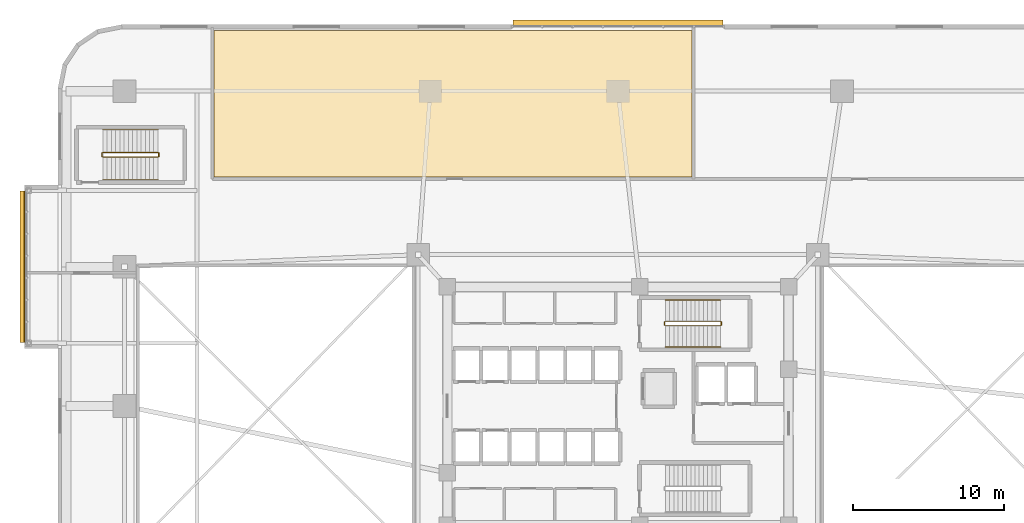
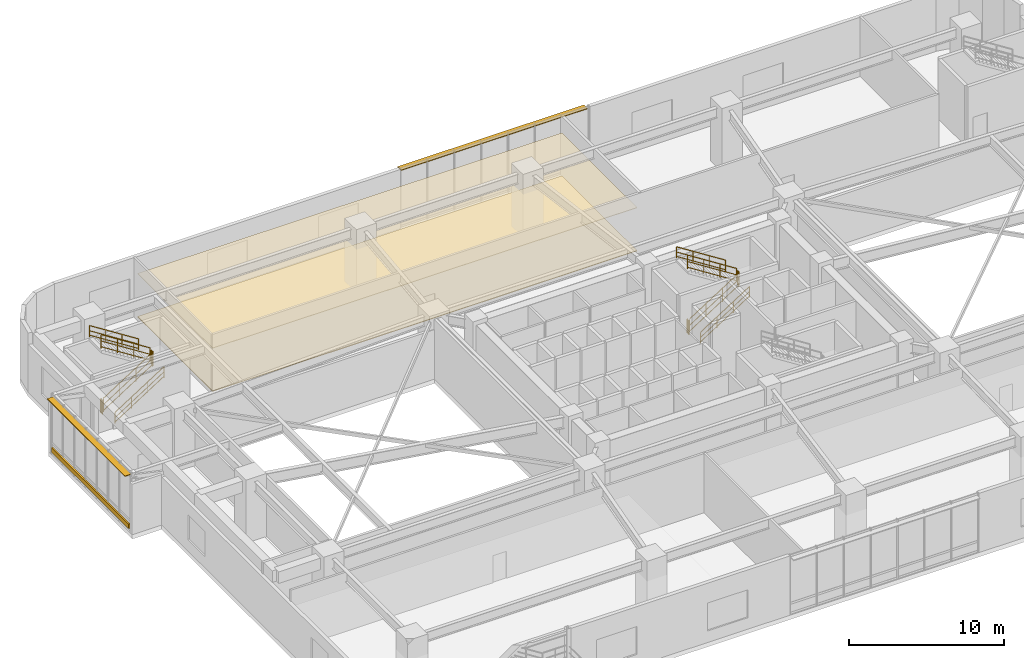
# One storey, part 22 of 24: 12 railings, 3 shading devices, 2 coverings.
"""IFC4 building model written with IfcOpenShell, lengths in metres."""

from ifc_helpers import new_model, si_unit, direction, frame, origin, origin_2d, place, context, subcontext, project, spatial, polyline, rectangle, outline, extrude, material, layer, layer_set, type_object, element, save


model = new_model("IFC4")

# Units and contexts
model_context = context("Model", 3, precision=1e-05, world=origin(), true_north=direction((0.0, 1.0)))
body_context = subcontext(model_context, "Body", "Model", "MODEL_VIEW")
ifc_project = project(units=[si_unit("LENGTHUNIT", "METRE"), si_unit("AREAUNIT", "SQUARE_METRE"), si_unit("VOLUMEUNIT", "CUBIC_METRE"), si_unit("PLANEANGLEUNIT", "RADIAN"), si_unit("MASSUNIT", "GRAM", prefix="KILO")], contexts=[model_context])

# Site, building, storey
site_placement = place(None, origin())
site = spatial("IfcSite", under=ifc_project, at=site_placement, CompositionType="ELEMENT")
building_placement = place(site_placement, origin())
building = spatial("IfcBuilding", under=site, at=building_placement, Name="Zulverin Broadcast Headquarters", CompositionType="ELEMENT")
storey_placement = place(building_placement, frame((0.0, 0.0, 5.0)))
storey = spatial("IfcBuildingStorey", under=building, at=storey_placement, Name="L01", CompositionType="ELEMENT", Elevation=5.0)

# Coverings
ifc_material_1 = material(Name="Perforated pale-metal acoustic baffle ceiling", Category="aluminium")
ifc_layer_1 = layer(ifc_material_1, 0.0400390625, Name="Perforated pale-metal acoustic baffle ceiling", Category="aluminium")
ifc_layer_set_1 = layer_set([ifc_layer_1], Name="Perforated pale-metal acoustic baffle ceiling")
covering_type_1 = type_object("IfcCoveringType", Name="COV-CEIL-ACOU", PredefinedType="CEILING", material=ifc_layer_set_1)
covering_1_placement = place(storey_placement, frame((0.0, 0.0, 3.389892578125)))
element("IfcCovering", 1, at=covering_1_placement, inside=storey, type_object=covering_type_1, Name="L01 Acoustic Baffle Ceiling 03", PredefinedType="CEILING", context=body_context, shape_type="SweptSolid", body=[
    extrude(outline(polyline([(41.8798828125, 50.0), (10.320068359375, 50.0), (10.320068359375, 40.320068359375), (41.8798828125, 40.320068359375), (41.8798828125, 50.0)])), origin(), (0.0, 0.0, 1.0), 0.0400390625),
])
ifc_material_2 = material(Name="Anti-static broadcast raised access flooring", Category="stone")
ifc_layer_2 = layer(ifc_material_2, 0.050048828125, Name="Anti-static broadcast raised access flooring", Category="stone")
ifc_layer_set_2 = layer_set([ifc_layer_2], Name="Anti-static broadcast raised access flooring")
covering_type_2 = type_object("IfcCoveringType", Name="COV-FLR-RAISED", PredefinedType="FLOORING", material=ifc_layer_set_2)
covering_2_placement = place(storey_placement, origin())
element("IfcCovering", 2, at=covering_2_placement, inside=storey, type_object=covering_type_2, Name="L01 Broadcast Raised Access Flooring 01", PredefinedType="FLOORING", context=body_context, shape_type="SweptSolid", body=[
    extrude(outline(polyline([(41.8798828125, 50.0), (10.320068359375, 50.0), (10.320068359375, 40.320068359375), (41.8798828125, 40.320068359375), (41.8798828125, 50.0)])), origin(), (0.0, 0.0, 1.0), 0.050048828125),
])

# Railings
ifc_material_3 = material(Name="Painted galvanized steel tubular guardrail S355JR", Category="steel")
railing_type_1 = type_object("IfcRailingType", Name="RL-ST-GUARD", PredefinedType="GUARDRAIL", material=ifc_material_3)
railing_1_placement = place(storey_placement, frame((40.1298828125, 30.5, 0.178466796875)))
element("IfcRailing", 3, at=railing_1_placement, inside=storey, type_object=railing_type_1, Name="L01 ST-1 stair guard 1", PredefinedType="GUARDRAIL", context=body_context, shape_type="SweptSolid", body=[
    extrude(rectangle(XDim=0.048095703125, YDim=0.048095703125, at=origin_2d()), frame((0.0, 0.0, 1.076171875), z_axis=(0.843127859045, 0.0, 0.537713132908), x_axis=(0.0, 1.0, 0.0)), (0.0, 0.0, 1.0), 4.3173828125),
    extrude(rectangle(XDim=0.0419921875, YDim=0.0419921875, at=origin_2d()), frame((0.0, 0.0, 0.572021484375), z_axis=(0.843127859045, 0.0, 0.537713132908), x_axis=(0.0, 1.0, 0.0)), (0.0, 0.0, 1.0), 4.3173828125),
    extrude(rectangle(XDim=0.0419921875, YDim=0.0419921875, at=origin_2d()), frame((0.0, 0.0, 0.1201171875), z_axis=(0.843127859045, 0.0, 0.537713132908), x_axis=(0.0, 1.0, 0.0)), (0.0, 0.0, 1.0), 4.3173828125),
    extrude(rectangle(XDim=0.0419921875, YDim=0.0419921875, at=origin_2d()), origin(), (0.0, 0.0, 1.0), 1.052001953125),
    extrude(rectangle(XDim=0.0419921875, YDim=0.0419921875, at=origin_2d()), frame((1.21337890625, 0.0, 0.77392578125)), (0.0, 0.0, 1.0), 1.052001953125),
    extrude(rectangle(XDim=0.0419921875, YDim=0.0419921875, at=origin_2d()), frame((2.4267578125, 0.0, 1.547607421875)), (0.0, 0.0, 1.0), 1.052001953125),
    extrude(rectangle(XDim=0.0419921875, YDim=0.0419921875, at=origin_2d()), frame((3.64013671875, 0.0, 2.321533203125)), (0.0, 0.0, 1.0), 1.052001953125),
])
railing_2_placement = place(storey_placement, frame((43.820068359375, 30.550048828125, 2.5)))
element("IfcRailing", 4, at=railing_2_placement, inside=storey, type_object=railing_type_1, Name="L01 ST-1 stair guard 2", PredefinedType="GUARDRAIL", context=body_context, shape_type="SweptSolid", body=[
    extrude(rectangle(XDim=0.048095703125, YDim=0.048095703125, at=origin_2d()), frame((0.0, 0.0, 1.076171875), z_axis=(0.0, 1.0, 0.0), x_axis=(-1.0, 0.0, 0.0)), (0.0, 0.0, 1.0), 0.199951171875),
    extrude(rectangle(XDim=0.0419921875, YDim=0.0419921875, at=origin_2d()), frame((0.0, 0.0, 0.572021484375), z_axis=(0.0, 1.0, 0.0), x_axis=(-1.0, 0.0, 0.0)), (0.0, 0.0, 1.0), 0.199951171875),
    extrude(rectangle(XDim=0.0419921875, YDim=0.0419921875, at=origin_2d()), frame((0.0, 0.0, 0.1201171875), z_axis=(0.0, 1.0, 0.0), x_axis=(-1.0, 0.0, 0.0)), (0.0, 0.0, 1.0), 0.199951171875),
    extrude(rectangle(XDim=0.0419921875, YDim=0.0419921875, at=origin_2d()), origin(), (0.0, 0.0, 1.0), 1.052001953125),
    extrude(rectangle(XDim=0.0419921875, YDim=0.0419921875, at=origin_2d()), frame((0.0, 0.199951171875, 0.0)), (0.0, 0.0, 1.0), 1.052001953125),
])
railing_3_placement = place(storey_placement, frame((43.77001953125, 30.800048828125, 2.678466796875)))
element("IfcRailing", 5, at=railing_3_placement, inside=storey, type_object=railing_type_1, Name="L01 ST-1 stair guard 3", PredefinedType="GUARDRAIL", context=body_context, shape_type="SweptSolid", body=[
    extrude(rectangle(XDim=0.048095703125, YDim=0.048095703125, at=origin_2d()), frame((0.0, 0.0, 1.076171875), z_axis=(-0.843127859045, 0.0, 0.537713132908), x_axis=(0.0, -1.0, 0.0)), (0.0, 0.0, 1.0), 4.3173828125),
    extrude(rectangle(XDim=0.0419921875, YDim=0.0419921875, at=origin_2d()), frame((0.0, 0.0, 0.572021484375), z_axis=(-0.843127859045, 0.0, 0.537713132908), x_axis=(0.0, -1.0, 0.0)), (0.0, 0.0, 1.0), 4.3173828125),
    extrude(rectangle(XDim=0.0419921875, YDim=0.0419921875, at=origin_2d()), frame((0.0, 0.0, 0.1201171875), z_axis=(-0.843127859045, 0.0, 0.537713132908), x_axis=(0.0, -1.0, 0.0)), (0.0, 0.0, 1.0), 4.3173828125),
    extrude(rectangle(XDim=0.0419921875, YDim=0.0419921875, at=origin_2d()), origin(), (0.0, 0.0, 1.0), 1.052001953125),
    extrude(rectangle(XDim=0.0419921875, YDim=0.0419921875, at=origin_2d()), frame((-1.21337890625, 0.0, 0.77392578125)), (0.0, 0.0, 1.0), 1.052001953125),
    extrude(rectangle(XDim=0.0419921875, YDim=0.0419921875, at=origin_2d()), frame((-2.4267578125, 0.0, 1.547607421875)), (0.0, 0.0, 1.0), 1.052001953125),
    extrude(rectangle(XDim=0.0419921875, YDim=0.0419921875, at=origin_2d()), frame((-3.64013671875, 0.0, 2.321533203125)), (0.0, 0.0, 1.0), 1.052001953125),
])
railing_4_placement = place(storey_placement, frame((40.080078125, 30.550048828125, 0.0)))
element("IfcRailing", 6, at=railing_4_placement, inside=storey, type_object=railing_type_1, Name="L01 ST-1 stair guard 4", PredefinedType="GUARDRAIL", context=body_context, shape_type="SweptSolid", body=[
    extrude(rectangle(XDim=0.048095703125, YDim=0.048095703125, at=origin_2d()), frame((0.0, 0.0, 1.076171875), z_axis=(0.0, 1.0, 0.0), x_axis=(-1.0, 0.0, 0.0)), (0.0, 0.0, 1.0), 0.199951171875),
    extrude(rectangle(XDim=0.0419921875, YDim=0.0419921875, at=origin_2d()), frame((0.0, 0.0, 0.572021484375), z_axis=(0.0, 1.0, 0.0), x_axis=(-1.0, 0.0, 0.0)), (0.0, 0.0, 1.0), 0.199951171875),
    extrude(rectangle(XDim=0.0419921875, YDim=0.0419921875, at=origin_2d()), frame((0.0, 0.0, 0.1201171875), z_axis=(0.0, 1.0, 0.0), x_axis=(-1.0, 0.0, 0.0)), (0.0, 0.0, 1.0), 0.199951171875),
    extrude(rectangle(XDim=0.0419921875, YDim=0.0419921875, at=origin_2d()), origin(), (0.0, 0.0, 1.0), 1.052001953125),
    extrude(rectangle(XDim=0.0419921875, YDim=0.0419921875, at=origin_2d()), frame((0.0, 0.199951171875, 0.0)), (0.0, 0.0, 1.0), 1.052001953125),
])
railing_5_placement = place(storey_placement, frame((2.969970703125, 41.64990234375, 0.178466796875)))
element("IfcRailing", 7, at=railing_5_placement, inside=storey, type_object=railing_type_1, Name="L01 ST-3 stair guard 1", PredefinedType="GUARDRAIL", context=body_context, shape_type="SweptSolid", body=[
    extrude(rectangle(XDim=0.048095703125, YDim=0.048095703125, at=origin_2d()), frame((0.0, 0.0, 1.076171875), z_axis=(0.843127859045, 0.0, 0.537713132908), x_axis=(0.0, 1.0, 0.0)), (0.0, 0.0, 1.0), 4.3173828125),
    extrude(rectangle(XDim=0.0419921875, YDim=0.0419921875, at=origin_2d()), frame((0.0, 0.0, 0.572021484375), z_axis=(0.843127859045, 0.0, 0.537713132908), x_axis=(0.0, 1.0, 0.0)), (0.0, 0.0, 1.0), 4.3173828125),
    extrude(rectangle(XDim=0.0419921875, YDim=0.0419921875, at=origin_2d()), frame((0.0, 0.0, 0.1201171875), z_axis=(0.843127859045, 0.0, 0.537713132908), x_axis=(0.0, 1.0, 0.0)), (0.0, 0.0, 1.0), 4.3173828125),
    extrude(rectangle(XDim=0.0419921875, YDim=0.0419921875, at=origin_2d()), origin(), (0.0, 0.0, 1.0), 1.052001953125),
    extrude(rectangle(XDim=0.0419921875, YDim=0.0419921875, at=origin_2d()), frame((1.21337890625, 0.0, 0.77392578125)), (0.0, 0.0, 1.0), 1.052001953125),
    extrude(rectangle(XDim=0.0419921875, YDim=0.0419921875, at=origin_2d()), frame((2.4267578125, 0.0, 1.547607421875)), (0.0, 0.0, 1.0), 1.052001953125),
    extrude(rectangle(XDim=0.0419921875, YDim=0.0419921875, at=origin_2d()), frame((3.64013671875, 0.0, 2.321533203125)), (0.0, 0.0, 1.0), 1.052001953125),
])
railing_6_placement = place(storey_placement, frame((6.659912109375, 41.699951171875, 2.5)))
element("IfcRailing", 8, at=railing_6_placement, inside=storey, type_object=railing_type_1, Name="L01 ST-3 stair guard 2", PredefinedType="GUARDRAIL", context=body_context, shape_type="SweptSolid", body=[
    extrude(rectangle(XDim=0.048095703125, YDim=0.048095703125, at=origin_2d()), frame((0.0, 0.0, 1.076171875), z_axis=(0.0, 1.0, 0.0), x_axis=(-1.0, 0.0, 0.0)), (0.0, 0.0, 1.0), 0.199951171875),
    extrude(rectangle(XDim=0.0419921875, YDim=0.0419921875, at=origin_2d()), frame((0.0, 0.0, 0.572021484375), z_axis=(0.0, 1.0, 0.0), x_axis=(-1.0, 0.0, 0.0)), (0.0, 0.0, 1.0), 0.199951171875),
    extrude(rectangle(XDim=0.0419921875, YDim=0.0419921875, at=origin_2d()), frame((0.0, 0.0, 0.1201171875), z_axis=(0.0, 1.0, 0.0), x_axis=(-1.0, 0.0, 0.0)), (0.0, 0.0, 1.0), 0.199951171875),
    extrude(rectangle(XDim=0.0419921875, YDim=0.0419921875, at=origin_2d()), origin(), (0.0, 0.0, 1.0), 1.052001953125),
    extrude(rectangle(XDim=0.0419921875, YDim=0.0419921875, at=origin_2d()), frame((0.0, 0.199951171875, 0.0)), (0.0, 0.0, 1.0), 1.052001953125),
])
railing_7_placement = place(storey_placement, frame((6.610107421875, 41.949951171875, 2.678466796875)))
element("IfcRailing", 9, at=railing_7_placement, inside=storey, type_object=railing_type_1, Name="L01 ST-3 stair guard 3", PredefinedType="GUARDRAIL", context=body_context, shape_type="SweptSolid", body=[
    extrude(rectangle(XDim=0.048095703125, YDim=0.048095703125, at=origin_2d()), frame((0.0, 0.0, 1.076171875), z_axis=(-0.843127859045, 0.0, 0.537713132908), x_axis=(0.0, -1.0, 0.0)), (0.0, 0.0, 1.0), 4.3173828125),
    extrude(rectangle(XDim=0.0419921875, YDim=0.0419921875, at=origin_2d()), frame((0.0, 0.0, 0.572021484375), z_axis=(-0.843127859045, 0.0, 0.537713132908), x_axis=(0.0, -1.0, 0.0)), (0.0, 0.0, 1.0), 4.3173828125),
    extrude(rectangle(XDim=0.0419921875, YDim=0.0419921875, at=origin_2d()), frame((0.0, 0.0, 0.1201171875), z_axis=(-0.843127859045, 0.0, 0.537713132908), x_axis=(0.0, -1.0, 0.0)), (0.0, 0.0, 1.0), 4.3173828125),
    extrude(rectangle(XDim=0.0419921875, YDim=0.0419921875, at=origin_2d()), origin(), (0.0, 0.0, 1.0), 1.052001953125),
    extrude(rectangle(XDim=0.0419921875, YDim=0.0419921875, at=origin_2d()), frame((-1.21337890625, 0.0, 0.77392578125)), (0.0, 0.0, 1.0), 1.052001953125),
    extrude(rectangle(XDim=0.0419921875, YDim=0.0419921875, at=origin_2d()), frame((-2.4267578125, 0.0, 1.547607421875)), (0.0, 0.0, 1.0), 1.052001953125),
    extrude(rectangle(XDim=0.0419921875, YDim=0.0419921875, at=origin_2d()), frame((-3.64013671875, 0.0, 2.321533203125)), (0.0, 0.0, 1.0), 1.052001953125),
])
railing_8_placement = place(storey_placement, frame((2.919921875, 41.699951171875, 0.0)))
element("IfcRailing", 10, at=railing_8_placement, inside=storey, type_object=railing_type_1, Name="L01 ST-3 stair guard 4", PredefinedType="GUARDRAIL", context=body_context, shape_type="SweptSolid", body=[
    extrude(rectangle(XDim=0.048095703125, YDim=0.048095703125, at=origin_2d()), frame((0.0, 0.0, 1.076171875), z_axis=(0.0, 1.0, 0.0), x_axis=(-1.0, 0.0, 0.0)), (0.0, 0.0, 1.0), 0.199951171875),
    extrude(rectangle(XDim=0.0419921875, YDim=0.0419921875, at=origin_2d()), frame((0.0, 0.0, 0.572021484375), z_axis=(0.0, 1.0, 0.0), x_axis=(-1.0, 0.0, 0.0)), (0.0, 0.0, 1.0), 0.199951171875),
    extrude(rectangle(XDim=0.0419921875, YDim=0.0419921875, at=origin_2d()), frame((0.0, 0.0, 0.1201171875), z_axis=(0.0, 1.0, 0.0), x_axis=(-1.0, 0.0, 0.0)), (0.0, 0.0, 1.0), 0.199951171875),
    extrude(rectangle(XDim=0.0419921875, YDim=0.0419921875, at=origin_2d()), origin(), (0.0, 0.0, 1.0), 1.052001953125),
    extrude(rectangle(XDim=0.0419921875, YDim=0.0419921875, at=origin_2d()), frame((0.0, 0.199951171875, 0.0)), (0.0, 0.0, 1.0), 1.052001953125),
])
ifc_material_4 = material(Name="Brushed stainless steel 48 mm handrail", Category="steel")
railing_type_2 = type_object("IfcRailingType", Name="RL-ST-HAND", PredefinedType="HANDRAIL", material=ifc_material_4)
railing_9_placement = place(storey_placement, frame((40.1298828125, 29.10009765625, 0.178466796875)))
element("IfcRailing", 11, at=railing_9_placement, inside=storey, type_object=railing_type_2, Name="L01 ST-1 stair handrail 1", PredefinedType="HANDRAIL", context=body_context, shape_type="SweptSolid", body=[
    extrude(rectangle(XDim=0.048095703125, YDim=0.048095703125, at=origin_2d()), frame((0.0, 0.0, 0.8759765625), z_axis=(0.843127859045, 0.0, 0.537713132908), x_axis=(0.0, 1.0, 0.0)), (0.0, 0.0, 1.0), 4.3173828125),
    extrude(rectangle(XDim=0.0419921875, YDim=0.0419921875, at=origin_2d()), frame((0.0, 0.0, 0.468017578125), z_axis=(0.843127859045, 0.0, 0.537713132908), x_axis=(0.0, 1.0, 0.0)), (0.0, 0.0, 1.0), 4.3173828125),
    extrude(rectangle(XDim=0.0419921875, YDim=0.0419921875, at=origin_2d()), frame((0.0, 0.0, 0.1201171875), z_axis=(0.843127859045, 0.0, 0.537713132908), x_axis=(0.0, 1.0, 0.0)), (0.0, 0.0, 1.0), 4.3173828125),
    extrude(rectangle(XDim=0.0419921875, YDim=0.0419921875, at=origin_2d()), origin(), (0.0, 0.0, 1.0), 0.851806640625),
    extrude(rectangle(XDim=0.0419921875, YDim=0.0419921875, at=origin_2d()), frame((1.21337890625, 0.0, 0.77392578125)), (0.0, 0.0, 1.0), 0.851806640625),
    extrude(rectangle(XDim=0.0419921875, YDim=0.0419921875, at=origin_2d()), frame((2.4267578125, 0.0, 1.547607421875)), (0.0, 0.0, 1.0), 0.851806640625),
    extrude(rectangle(XDim=0.0419921875, YDim=0.0419921875, at=origin_2d()), frame((3.64013671875, 0.0, 2.321533203125)), (0.0, 0.0, 1.0), 0.851806640625),
])
railing_10_placement = place(storey_placement, frame((43.77001953125, 32.199951171875, 2.678466796875)))
element("IfcRailing", 12, at=railing_10_placement, inside=storey, type_object=railing_type_2, Name="L01 ST-1 stair handrail 2", PredefinedType="HANDRAIL", context=body_context, shape_type="SweptSolid", body=[
    extrude(rectangle(XDim=0.048095703125, YDim=0.048095703125, at=origin_2d()), frame((0.0, 0.0, 0.8759765625), z_axis=(-0.843127859045, 0.0, 0.537713132908), x_axis=(0.0, -1.0, 0.0)), (0.0, 0.0, 1.0), 4.3173828125),
    extrude(rectangle(XDim=0.0419921875, YDim=0.0419921875, at=origin_2d()), frame((0.0, 0.0, 0.468017578125), z_axis=(-0.843127859045, 0.0, 0.537713132908), x_axis=(0.0, -1.0, 0.0)), (0.0, 0.0, 1.0), 4.3173828125),
    extrude(rectangle(XDim=0.0419921875, YDim=0.0419921875, at=origin_2d()), frame((0.0, 0.0, 0.1201171875), z_axis=(-0.843127859045, 0.0, 0.537713132908), x_axis=(0.0, -1.0, 0.0)), (0.0, 0.0, 1.0), 4.3173828125),
    extrude(rectangle(XDim=0.0419921875, YDim=0.0419921875, at=origin_2d()), origin(), (0.0, 0.0, 1.0), 0.851806640625),
    extrude(rectangle(XDim=0.0419921875, YDim=0.0419921875, at=origin_2d()), frame((-1.21337890625, 0.0, 0.77392578125)), (0.0, 0.0, 1.0), 0.851806640625),
    extrude(rectangle(XDim=0.0419921875, YDim=0.0419921875, at=origin_2d()), frame((-2.4267578125, 0.0, 1.547607421875)), (0.0, 0.0, 1.0), 0.851806640625),
    extrude(rectangle(XDim=0.0419921875, YDim=0.0419921875, at=origin_2d()), frame((-3.64013671875, 0.0, 2.321533203125)), (0.0, 0.0, 1.0), 0.851806640625),
])
railing_11_placement = place(storey_placement, frame((2.969970703125, 40.14990234375, 0.178466796875)))
element("IfcRailing", 13, at=railing_11_placement, inside=storey, type_object=railing_type_2, Name="L01 ST-3 stair handrail 1", PredefinedType="HANDRAIL", context=body_context, shape_type="SweptSolid", body=[
    extrude(rectangle(XDim=0.048095703125, YDim=0.048095703125, at=origin_2d()), frame((0.0, 0.0, 0.8759765625), z_axis=(0.843127859045, 0.0, 0.537713132908), x_axis=(0.0, 1.0, 0.0)), (0.0, 0.0, 1.0), 4.3173828125),
    extrude(rectangle(XDim=0.0419921875, YDim=0.0419921875, at=origin_2d()), frame((0.0, 0.0, 0.468017578125), z_axis=(0.843127859045, 0.0, 0.537713132908), x_axis=(0.0, 1.0, 0.0)), (0.0, 0.0, 1.0), 4.3173828125),
    extrude(rectangle(XDim=0.0419921875, YDim=0.0419921875, at=origin_2d()), frame((0.0, 0.0, 0.1201171875), z_axis=(0.843127859045, 0.0, 0.537713132908), x_axis=(0.0, 1.0, 0.0)), (0.0, 0.0, 1.0), 4.3173828125),
    extrude(rectangle(XDim=0.0419921875, YDim=0.0419921875, at=origin_2d()), origin(), (0.0, 0.0, 1.0), 0.851806640625),
    extrude(rectangle(XDim=0.0419921875, YDim=0.0419921875, at=origin_2d()), frame((1.21337890625, 0.0, 0.77392578125)), (0.0, 0.0, 1.0), 0.851806640625),
    extrude(rectangle(XDim=0.0419921875, YDim=0.0419921875, at=origin_2d()), frame((2.4267578125, 0.0, 1.547607421875)), (0.0, 0.0, 1.0), 0.851806640625),
    extrude(rectangle(XDim=0.0419921875, YDim=0.0419921875, at=origin_2d()), frame((3.64013671875, 0.0, 2.321533203125)), (0.0, 0.0, 1.0), 0.851806640625),
])
railing_12_placement = place(storey_placement, frame((6.610107421875, 43.449951171875, 2.678466796875)))
element("IfcRailing", 14, at=railing_12_placement, inside=storey, type_object=railing_type_2, Name="L01 ST-3 stair handrail 2", PredefinedType="HANDRAIL", context=body_context, shape_type="SweptSolid", body=[
    extrude(rectangle(XDim=0.048095703125, YDim=0.048095703125, at=origin_2d()), frame((0.0, 0.0, 0.8759765625), z_axis=(-0.843127859045, 0.0, 0.537713132908), x_axis=(0.0, -1.0, 0.0)), (0.0, 0.0, 1.0), 4.3173828125),
    extrude(rectangle(XDim=0.0419921875, YDim=0.0419921875, at=origin_2d()), frame((0.0, 0.0, 0.468017578125), z_axis=(-0.843127859045, 0.0, 0.537713132908), x_axis=(0.0, -1.0, 0.0)), (0.0, 0.0, 1.0), 4.3173828125),
    extrude(rectangle(XDim=0.0419921875, YDim=0.0419921875, at=origin_2d()), frame((0.0, 0.0, 0.1201171875), z_axis=(-0.843127859045, 0.0, 0.537713132908), x_axis=(0.0, -1.0, 0.0)), (0.0, 0.0, 1.0), 4.3173828125),
    extrude(rectangle(XDim=0.0419921875, YDim=0.0419921875, at=origin_2d()), origin(), (0.0, 0.0, 1.0), 0.851806640625),
    extrude(rectangle(XDim=0.0419921875, YDim=0.0419921875, at=origin_2d()), frame((-1.21337890625, 0.0, 0.77392578125)), (0.0, 0.0, 1.0), 0.851806640625),
    extrude(rectangle(XDim=0.0419921875, YDim=0.0419921875, at=origin_2d()), frame((-2.4267578125, 0.0, 1.547607421875)), (0.0, 0.0, 1.0), 0.851806640625),
    extrude(rectangle(XDim=0.0419921875, YDim=0.0419921875, at=origin_2d()), frame((-3.64013671875, 0.0, 2.321533203125)), (0.0, 0.0, 1.0), 0.851806640625),
])

# Shading devices
ifc_material_5 = material(Name="Anodized pale-metal aluminium acoustic louvre", Category="aluminium")
shading_device_type_1 = type_object("IfcShadingDeviceType", Name="SHD-LOUVRE-350", PredefinedType="USERDEFINED", material=ifc_material_5)
shading_device_1_placement = place(storey_placement, frame((-2.159912109375, 34.39990234375, 0.224853515625), z_axis=(0.0, 0.0, 1.0), x_axis=(0.0, -1.0, 0.0)))
element("IfcShadingDevice", 15, at=shading_device_1_placement, inside=storey, type_object=shading_device_type_1, Name="L01 Pale-Metal Acoustic Louvre Screen CW-L01-SBOX_POD_LOWER_W1-F", ObjectType="LOUVRE", PredefinedType="USERDEFINED", context=body_context, shape_type="SweptSolid", body=[
    extrude(rectangle(XDim=9.93994140625, YDim=0.1201171875, at=origin_2d()), origin(), (0.0, 0.0, 1.0), 0.35009765625),
])
ifc_material_6 = material(Name="Anodized pale-metal aluminium sunshade", Category="aluminium")
ifc_layer_3 = layer(ifc_material_6, 0.06005859375, Name="Anodized pale-metal aluminium sunshade", Category="aluminium")
ifc_layer_set_3 = layer_set([ifc_layer_3], Name="Anodized pale-metal aluminium sunshade")
shading_device_type_2 = type_object("IfcShadingDeviceType", Name="SS-01_PALE_METAL_ALUMINIUM_SUNSHADE", PredefinedType="USERDEFINED", material=ifc_layer_set_3)
shading_device_2_placement = place(storey_placement, frame((37.0, 50.47998046875, 4.429931640625), z_axis=(0.0, 0.0, 1.0), x_axis=(-1.0, 0.0, 0.0)))
element("IfcShadingDevice", 16, at=shading_device_2_placement, inside=storey, type_object=shading_device_type_2, Name="L01 Pale-Metal Horizontal Sunshade Band CW-L01-N2", ObjectType="SUNSHADE", PredefinedType="USERDEFINED", context=body_context, shape_type="SweptSolid", body=[
    extrude(rectangle(XDim=13.860107421875, YDim=0.449951171875, at=origin_2d()), origin(), (0.0, 0.0, 1.0), 0.06005859375),
])
shading_device_3_placement = place(storey_placement, frame((-2.280029296875, 34.39990234375, 4.429931640625), z_axis=(0.0, 0.0, 1.0), x_axis=(0.0, -1.0, 0.0)))
element("IfcShadingDevice", 17, at=shading_device_3_placement, inside=storey, type_object=shading_device_type_2, Name="L01 Pale-Metal Horizontal Sunshade Band CW-L01-SBOX_POD_LOWER_W1-F", ObjectType="SUNSHADE", PredefinedType="USERDEFINED", context=body_context, shape_type="SweptSolid", body=[
    extrude(rectangle(XDim=10.02001953125, YDim=0.449951171875, at=origin_2d()), origin(), (0.0, 0.0, 1.0), 0.06005859375),
])

save(model, "model.ifc")
